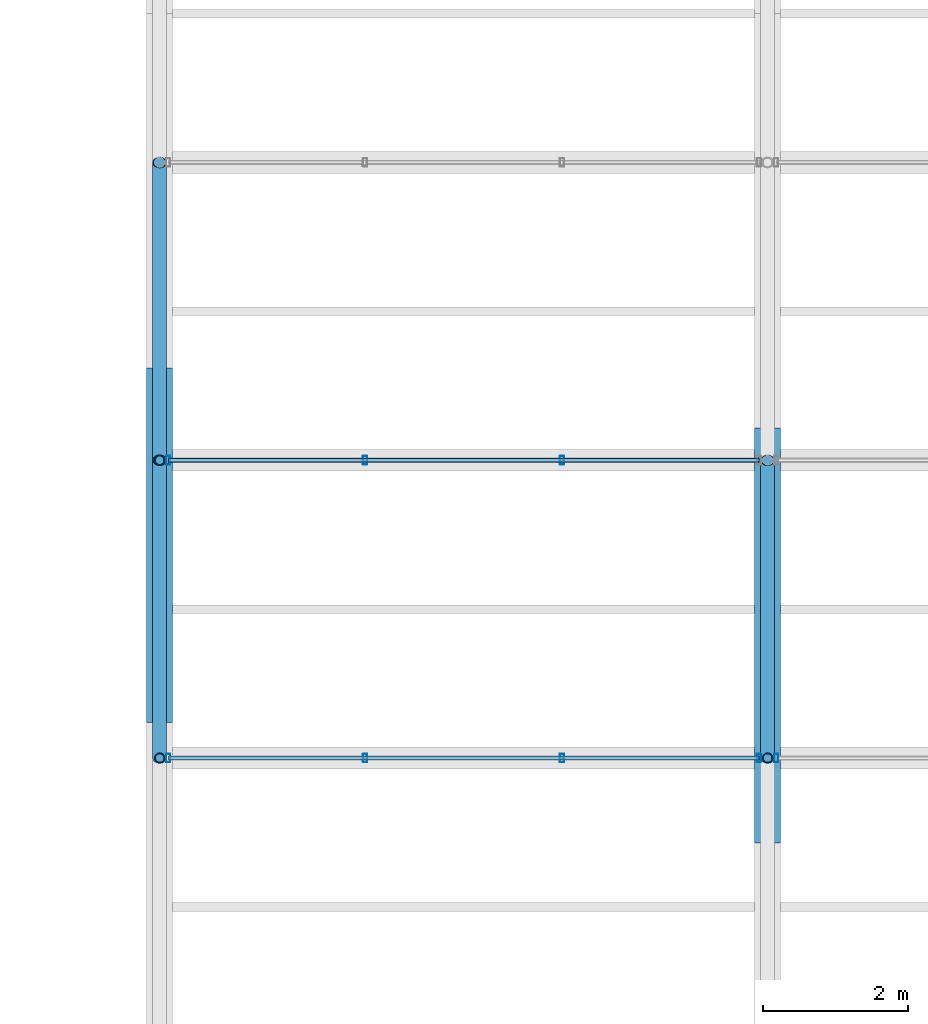
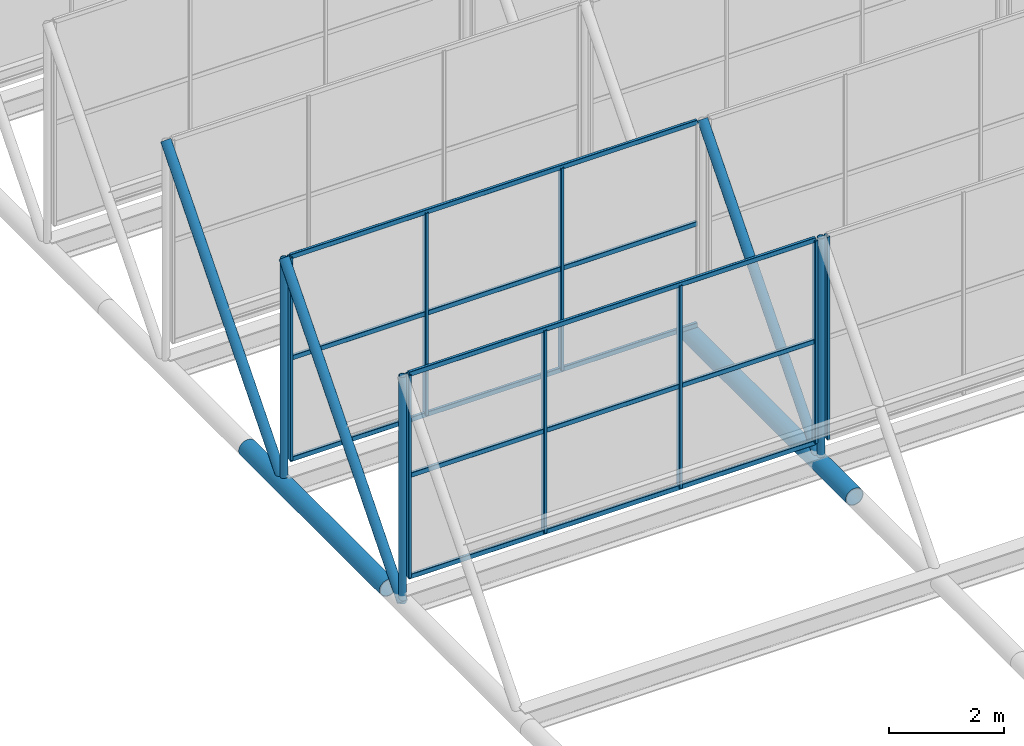
# One storey, part 4 of 77: 22 members, 3 elements without a shape of their own.
"""IFC4 building model written with IfcOpenShell, lengths in metres."""

from ifc_helpers import new_model, si_unit, derived_unit, direction, frame, origin, origin_2d, place, context, subcontext, project, spatial, hollow_rectangle, hollow_circle, extrude, material, material_profile, profile_set, type_object, element, aggregate, save


model = new_model("IFC4")

# Units and contexts
model_context = context("Model", 3, precision=1e-05, world=origin(), true_north=direction((0.0, 1.0)))
body_context = subcontext(model_context, "Body", "Model", "MODEL_VIEW")
ifc_project = project(units=[si_unit("LENGTHUNIT", "METRE"), si_unit("AREAUNIT", "SQUARE_METRE"), si_unit("VOLUMEUNIT", "CUBIC_METRE"), si_unit("PLANEANGLEUNIT", "RADIAN"), si_unit("MASSUNIT", "GRAM", prefix="KILO"), derived_unit("THERMALTRANSMITTANCEUNIT", [(si_unit("MASSUNIT", "GRAM", prefix="KILO"), 1), (si_unit("TIMEUNIT", "SECOND"), -3), (si_unit("THERMODYNAMICTEMPERATUREUNIT", "KELVIN"), -1)])], contexts=[model_context])

# Site, building, storey
site_placement = place(None, origin())
site = spatial("IfcSite", under=ifc_project, at=site_placement, CompositionType="ELEMENT")
building_placement = place(site_placement, origin())
building = spatial("IfcBuilding", under=site, at=building_placement, Name="Kharveza Railside Sports Centre", CompositionType="ELEMENT")
storey_placement = place(building_placement, frame((0.0, 0.0, 17.10009765625)))
storey = spatial("IfcBuildingStorey", under=building, at=storey_placement, Name="L04", CompositionType="ELEMENT", Elevation=17.10009765625)

# Curtain wall, members
ifc_material_1 = material(Name="Low-E solar-control laminated glass", Category="glass")
curtain_wall_type = type_object("IfcCurtainWallType", Name="CW-NL01", PredefinedType="NOTDEFINED", material=ifc_material_1)
curtain_wall_1_placement = place(storey_placement, origin())
curtain_wall_1 = element("IfcCurtainWall", 1, at=curtain_wall_1_placement, inside=storey, type_object=curtain_wall_type, Name="CW-V1NL-1-1", PredefinedType="NOTDEFINED")
ifc_material_2 = material(Name="Anodised aluminium 6063-T6", Category="aluminium")
ifc_material_profile_1 = material_profile(ifc_material_2, hollow_rectangle(XDim=0.06005859375, YDim=0.1201171875, WallThickness=0.0048828125, InnerFilletRadius=0.0048828125, OuterFilletRadius=0.010009765625, at=origin_2d()), Name="RHS 60x120x5.0")
ifc_profile_set_1 = profile_set([ifc_material_profile_1], Name="Anodised aluminium 6063-T6")
member_type_1 = type_object("IfcMemberType", Name="CW-ML05", PredefinedType="MULLION", material=ifc_profile_set_1)
member_1_placement = place(storey_placement, frame((33.719970703125, 40.1142578125, -0.550048828125), z_axis=(0.0, 0.0, 1.0), x_axis=(1.0, 0.0, 0.0)))
member_1 = element("IfcMember", 2, at=member_1_placement, type_object=member_type_1, Name="CW-V1NL-1-1-ML1", PredefinedType="MULLION", context=body_context, shape_type="SweptSolid", body=[
    extrude(hollow_rectangle(XDim=0.06005859375, YDim=0.1201171875, WallThickness=0.0048828125, InnerFilletRadius=0.0048828125, OuterFilletRadius=0.010009765625, at=origin_2d()), origin(), (0.0, 0.0, 1.0), 4.300048828125),
])
member_2_placement = place(storey_placement, frame((36.43994140625, 40.1142578125, -0.550048828125), z_axis=(0.0, 0.0, 1.0), x_axis=(1.0, 0.0, 0.0)))
member_2 = element("IfcMember", 3, at=member_2_placement, type_object=member_type_1, Name="CW-V1NL-1-1-ML2", PredefinedType="MULLION", context=body_context, shape_type="SweptSolid", body=[
    extrude(hollow_rectangle(XDim=0.06005859375, YDim=0.1201171875, WallThickness=0.0048828125, InnerFilletRadius=0.0048828125, OuterFilletRadius=0.010009765625, at=origin_2d()), origin(), (0.0, 0.0, 1.0), 4.300048828125),
])
member_3_placement = place(storey_placement, frame((39.159912109375, 40.1142578125, -0.550048828125), z_axis=(0.0, 0.0, 1.0), x_axis=(1.0, 0.0, 0.0)))
member_3 = element("IfcMember", 4, at=member_3_placement, type_object=member_type_1, Name="CW-V1NL-1-1-ML3", PredefinedType="MULLION", context=body_context, shape_type="SweptSolid", body=[
    extrude(hollow_rectangle(XDim=0.06005859375, YDim=0.1201171875, WallThickness=0.0048828125, InnerFilletRadius=0.0048828125, OuterFilletRadius=0.010009765625, at=origin_2d()), origin(), (0.0, 0.0, 1.0), 4.300048828125),
])
member_4_placement = place(storey_placement, frame((41.8798828125, 40.1142578125, -0.550048828125), z_axis=(0.0, 0.0, 1.0), x_axis=(1.0, 0.0, 0.0)))
member_4 = element("IfcMember", 5, at=member_4_placement, type_object=member_type_1, Name="CW-V1NL-1-1-ML4", PredefinedType="MULLION", context=body_context, shape_type="SweptSolid", body=[
    extrude(hollow_rectangle(XDim=0.06005859375, YDim=0.1201171875, WallThickness=0.0048828125, InnerFilletRadius=0.0048828125, OuterFilletRadius=0.010009765625, at=origin_2d()), origin(), (0.0, 0.0, 1.0), 4.300048828125),
])

# Curtain wall, member
curtain_wall_2_placement = place(storey_placement, origin())
curtain_wall_2 = element("IfcCurtainWall", 6, at=curtain_wall_2_placement, inside=storey, type_object=curtain_wall_type, Name="CW-V1NL-1-2", PredefinedType="NOTDEFINED")
member_5_placement = place(storey_placement, frame((42.1201171875, 40.1142578125, -0.550048828125), z_axis=(0.0, 0.0, 1.0), x_axis=(1.0, 0.0, 0.0)))
member_5 = element("IfcMember", 7, at=member_5_placement, type_object=member_type_1, Name="CW-V1NL-1-2-ML1", PredefinedType="MULLION", context=body_context, shape_type="SweptSolid", body=[
    extrude(hollow_rectangle(XDim=0.06005859375, YDim=0.1201171875, WallThickness=0.0048828125, InnerFilletRadius=0.0048828125, OuterFilletRadius=0.010009765625, at=origin_2d()), origin(), (0.0, 0.0, 1.0), 4.300048828125),
])
aggregate(curtain_wall_2, [member_5])

# Curtain wall, members
curtain_wall_3_placement = place(storey_placement, origin())
curtain_wall_3 = element("IfcCurtainWall", 8, at=curtain_wall_3_placement, inside=storey, type_object=curtain_wall_type, Name="CW-V1NL-2-1", PredefinedType="NOTDEFINED")
member_6_placement = place(storey_placement, frame((33.719970703125, 44.228515625, -0.550048828125), z_axis=(0.0, 0.0, 1.0), x_axis=(1.0, 0.0, 0.0)))
member_6 = element("IfcMember", 9, at=member_6_placement, type_object=member_type_1, Name="CW-V1NL-2-1-ML1", PredefinedType="MULLION", context=body_context, shape_type="SweptSolid", body=[
    extrude(hollow_rectangle(XDim=0.06005859375, YDim=0.1201171875, WallThickness=0.0048828125, InnerFilletRadius=0.0048828125, OuterFilletRadius=0.010009765625, at=origin_2d()), origin(), (0.0, 0.0, 1.0), 4.300048828125),
])
member_7_placement = place(storey_placement, frame((36.43994140625, 44.228515625, -0.550048828125), z_axis=(0.0, 0.0, 1.0), x_axis=(1.0, 0.0, 0.0)))
member_7 = element("IfcMember", 10, at=member_7_placement, type_object=member_type_1, Name="CW-V1NL-2-1-ML2", PredefinedType="MULLION", context=body_context, shape_type="SweptSolid", body=[
    extrude(hollow_rectangle(XDim=0.06005859375, YDim=0.1201171875, WallThickness=0.0048828125, InnerFilletRadius=0.0048828125, OuterFilletRadius=0.010009765625, at=origin_2d()), origin(), (0.0, 0.0, 1.0), 4.300048828125),
])
member_8_placement = place(storey_placement, frame((39.159912109375, 44.228515625, -0.550048828125), z_axis=(0.0, 0.0, 1.0), x_axis=(1.0, 0.0, 0.0)))
member_8 = element("IfcMember", 11, at=member_8_placement, type_object=member_type_1, Name="CW-V1NL-2-1-ML3", PredefinedType="MULLION", context=body_context, shape_type="SweptSolid", body=[
    extrude(hollow_rectangle(XDim=0.06005859375, YDim=0.1201171875, WallThickness=0.0048828125, InnerFilletRadius=0.0048828125, OuterFilletRadius=0.010009765625, at=origin_2d()), origin(), (0.0, 0.0, 1.0), 4.300048828125),
])

# Member
ifc_material_profile_2 = material_profile(ifc_material_2, hollow_rectangle(XDim=0.06005859375, YDim=0.10009765625, WallThickness=0.00390625, InnerFilletRadius=0.00390625, OuterFilletRadius=0.008056640625, at=origin_2d()), Name="RHS 60x100x4.0")
ifc_profile_set_2 = profile_set([ifc_material_profile_2], Name="Anodised aluminium 6063-T6")
member_type_2 = type_object("IfcMemberType", Name="CW-TR05", PredefinedType="USERDEFINED", material=ifc_profile_set_2)
member_9_placement = place(storey_placement, frame((33.719970703125, 40.1142578125, -0.550048828125), z_axis=(1.0, 0.0, 0.0), x_axis=(0.0, 1.0, 0.0)))
member_9 = element("IfcMember", 12, at=member_9_placement, type_object=member_type_2, Name="CW-V1NL-1-1-TR1", ObjectType="TRANSOM", PredefinedType="USERDEFINED", context=body_context, shape_type="SweptSolid", body=[
    extrude(hollow_rectangle(XDim=0.06005859375, YDim=0.10009765625, WallThickness=0.00390625, InnerFilletRadius=0.00390625, OuterFilletRadius=0.008056640625, at=origin_2d()), origin(), (0.0, 0.0, 1.0), 8.159912109375),
])

member_10_placement = place(storey_placement, frame((33.719970703125, 40.1142578125, 1.599853515625), z_axis=(1.0, 0.0, 0.0), x_axis=(0.0, 1.0, 0.0)))
member_10 = element("IfcMember", 13, at=member_10_placement, type_object=member_type_2, Name="CW-V1NL-1-1-TR2", ObjectType="TRANSOM", PredefinedType="USERDEFINED", context=body_context, shape_type="SweptSolid", body=[
    extrude(hollow_rectangle(XDim=0.06005859375, YDim=0.10009765625, WallThickness=0.00390625, InnerFilletRadius=0.00390625, OuterFilletRadius=0.008056640625, at=origin_2d()), origin(), (0.0, 0.0, 1.0), 8.159912109375),
])

member_11_placement = place(storey_placement, frame((33.719970703125, 40.1142578125, 3.75), z_axis=(1.0, 0.0, 0.0), x_axis=(0.0, 1.0, 0.0)))
member_11 = element("IfcMember", 14, at=member_11_placement, type_object=member_type_2, Name="CW-V1NL-1-1-TR3", ObjectType="TRANSOM", PredefinedType="USERDEFINED", context=body_context, shape_type="SweptSolid", body=[
    extrude(hollow_rectangle(XDim=0.06005859375, YDim=0.10009765625, WallThickness=0.00390625, InnerFilletRadius=0.00390625, OuterFilletRadius=0.008056640625, at=origin_2d()), origin(), (0.0, 0.0, 1.0), 8.159912109375),
])

aggregate(curtain_wall_1, [member_1, member_2, member_3, member_4, member_9, member_10, member_11])

member_12_placement = place(storey_placement, frame((33.719970703125, 44.228515625, -0.550048828125), z_axis=(1.0, 0.0, 0.0), x_axis=(0.0, 1.0, 0.0)))
member_12 = element("IfcMember", 15, at=member_12_placement, type_object=member_type_2, Name="CW-V1NL-2-1-TR1", ObjectType="TRANSOM", PredefinedType="USERDEFINED", context=body_context, shape_type="SweptSolid", body=[
    extrude(hollow_rectangle(XDim=0.06005859375, YDim=0.10009765625, WallThickness=0.00390625, InnerFilletRadius=0.00390625, OuterFilletRadius=0.008056640625, at=origin_2d()), origin(), (0.0, 0.0, 1.0), 8.159912109375),
])

member_13_placement = place(storey_placement, frame((33.719970703125, 44.228515625, 1.599853515625), z_axis=(1.0, 0.0, 0.0), x_axis=(0.0, 1.0, 0.0)))
member_13 = element("IfcMember", 16, at=member_13_placement, type_object=member_type_2, Name="CW-V1NL-2-1-TR2", ObjectType="TRANSOM", PredefinedType="USERDEFINED", context=body_context, shape_type="SweptSolid", body=[
    extrude(hollow_rectangle(XDim=0.06005859375, YDim=0.10009765625, WallThickness=0.00390625, InnerFilletRadius=0.00390625, OuterFilletRadius=0.008056640625, at=origin_2d()), origin(), (0.0, 0.0, 1.0), 8.159912109375),
])

member_14_placement = place(storey_placement, frame((33.719970703125, 44.228515625, 3.75), z_axis=(1.0, 0.0, 0.0), x_axis=(0.0, 1.0, 0.0)))
member_14 = element("IfcMember", 17, at=member_14_placement, type_object=member_type_2, Name="CW-V1NL-2-1-TR3", ObjectType="TRANSOM", PredefinedType="USERDEFINED", context=body_context, shape_type="SweptSolid", body=[
    extrude(hollow_rectangle(XDim=0.06005859375, YDim=0.10009765625, WallThickness=0.00390625, InnerFilletRadius=0.00390625, OuterFilletRadius=0.008056640625, at=origin_2d()), origin(), (0.0, 0.0, 1.0), 8.159912109375),
])

aggregate(curtain_wall_3, [member_6, member_7, member_8, member_12, member_13, member_14])

# Members
ifc_material_3 = material(Name="Steel S355J2", Category="steel")
ifc_material_profile_3 = material_profile(ifc_material_3, hollow_circle(Radius=0.177734375, WallThickness=0.01611328125, at=origin_2d()), Name="CHS 355.6x16.0")
ifc_profile_set_3 = profile_set([ifc_material_profile_3], Name="Steel S355J2")
member_type_3 = type_object("IfcMemberType", Name="MB-CH01", PredefinedType="CHORD", material=ifc_profile_set_3)
member_15_placement = place(storey_placement, frame((33.60009765625, 40.606689453125, -1.050048828125), z_axis=(0.0, 1.0, 0.0), x_axis=(-1.0, 0.0, 0.0)))
element("IfcMember", 18, at=member_15_placement, inside=storey, type_object=member_type_3, Name="MB-V1TR-TC-1-3", PredefinedType="CHORD", context=body_context, shape_type="SweptSolid", body=[
    extrude(hollow_circle(Radius=0.177734375, WallThickness=0.01611328125, at=origin_2d()), origin(), (0.0, 0.0, 1.0), 4.896728515625),
])
member_16_placement = place(storey_placement, frame((42.0, 38.9423828125, -1.050048828125), z_axis=(0.0, 1.0, 0.0), x_axis=(-1.0, 0.0, 0.0)))
element("IfcMember", 19, at=member_16_placement, inside=storey, type_object=member_type_3, Name="MB-V1TR-TC-2-3", PredefinedType="CHORD", context=body_context, shape_type="SweptSolid", body=[
    extrude(hollow_circle(Radius=0.177734375, WallThickness=0.01611328125, at=origin_2d()), origin(), (0.0, 0.0, 1.0), 5.728759765625),
])
ifc_material_profile_4 = material_profile(ifc_material_3, hollow_circle(Radius=0.096923828125, WallThickness=0.010009765625, at=origin_2d()), Name="CHS 193.7x10.0")
ifc_profile_set_4 = profile_set([ifc_material_profile_4], Name="Steel S355J2")
member_type_4 = type_object("IfcMemberType", Name="MB-ST02", PredefinedType="STRUT", material=ifc_profile_set_4)
for number, where, z_axis, x_axis, name in (
    (20, (33.60009765625, 40.1142578125, -1.050048828125), (0.0, 0.650003261435, 0.759931418039), (-1.0, 0.0, 0.0), "MB-V1SAW-RFT-2-1"),
    (21, (42.0, 40.1142578125, -1.050048828125), (0.0, 0.650003261435, 0.759931418039), (-1.0, 0.0, 0.0), "MB-V1SAW-RFT-2-2"),
):
    element("IfcMember", number, at=place(storey_placement, frame(where, z_axis=z_axis, x_axis=x_axis)), inside=storey, type_object=member_type_4, Name=name, PredefinedType="STRUT", context=body_context, shape_type="SweptSolid", body=[
        extrude(hollow_circle(Radius=0.096923828125, WallThickness=0.010009765625, at=origin_2d()), origin(), (0.0, 0.0, 1.0), 6.32958984375),
    ])
member_17_placement = place(storey_placement, frame((33.60009765625, 44.228515625, -1.050048828125), z_axis=(0.0, 0.65002553535, 0.759912365601), x_axis=(-1.0, 0.0, 0.0)))
element("IfcMember", 22, at=member_17_placement, inside=storey, type_object=member_type_4, Name="MB-V1SAW-RFT-3-1", PredefinedType="STRUT", context=body_context, shape_type="SweptSolid", body=[
    extrude(hollow_circle(Radius=0.096923828125, WallThickness=0.010009765625, at=origin_2d()), origin(), (0.0, 0.0, 1.0), 6.329833984375),
])
ifc_material_profile_5 = material_profile(ifc_material_3, hollow_circle(Radius=0.06982421875, WallThickness=0.008056640625, at=origin_2d()), Name="CHS 139.7x8.0")
ifc_profile_set_5 = profile_set([ifc_material_profile_5], Name="Steel S355J2")
member_type_5 = type_object("IfcMemberType", Name="MB-ST04", PredefinedType="STRUT", material=ifc_profile_set_5)
for number, where, z_axis, x_axis, name in (
    (23, (33.60009765625, 40.1142578125, -1.050048828125), (0.0, 0.0, 1.0), (1.0, 0.0, 0.0), "MB-V1SAW-PST-1-1"),
    (24, (42.0, 40.1142578125, -1.050048828125), (0.0, 0.0, 1.0), (1.0, 0.0, 0.0), "MB-V1SAW-PST-1-2"),
    (25, (33.60009765625, 44.228515625, -1.050048828125), (0.0, 0.0, 1.0), (1.0, 0.0, 0.0), "MB-V1SAW-PST-2-1"),
):
    element("IfcMember", number, at=place(storey_placement, frame(where, z_axis=z_axis, x_axis=x_axis)), inside=storey, type_object=member_type_5, Name=name, PredefinedType="STRUT", context=body_context, shape_type="SweptSolid", body=[
        extrude(hollow_circle(Radius=0.06982421875, WallThickness=0.008056640625, at=origin_2d()), origin(), (0.0, 0.0, 1.0), 4.81005859375),
    ])

save(model, "model.ifc")
